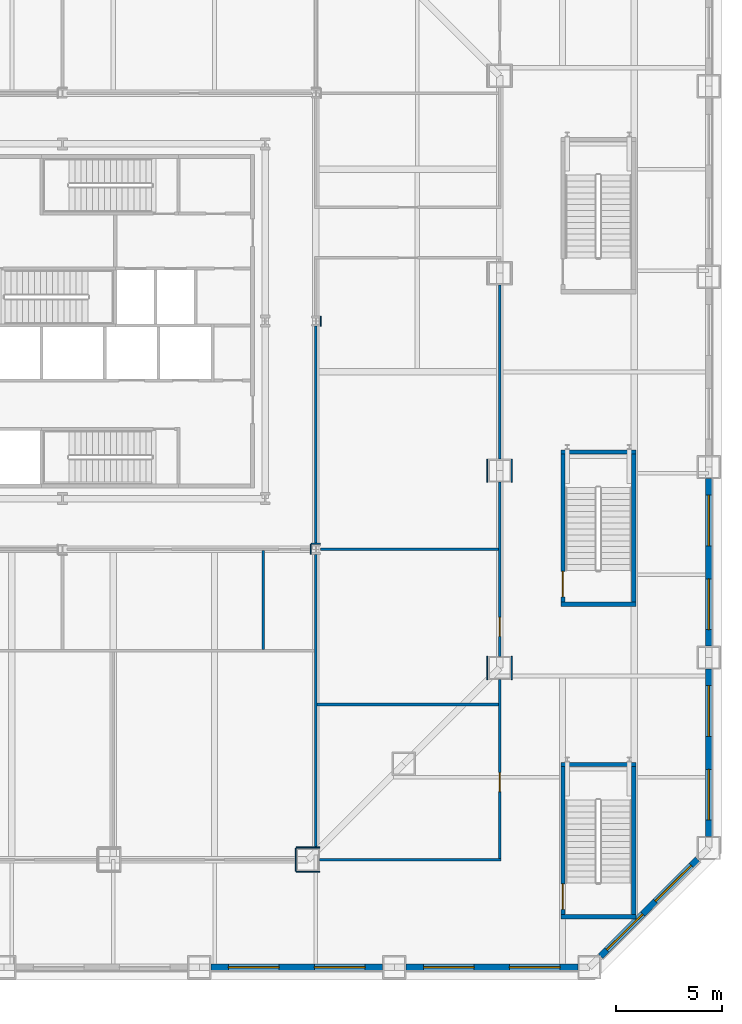
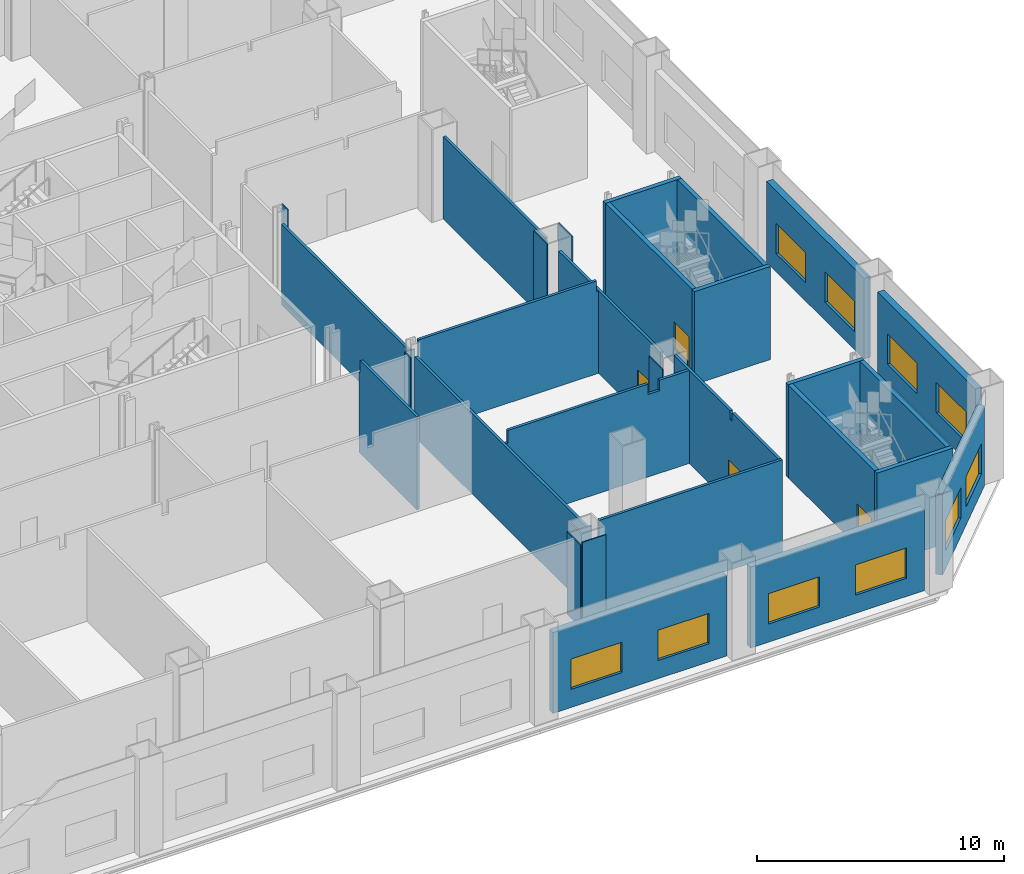
# One storey, part 17 of 26: 32 walls, 10 windows, 4 doors, 14 openings.
"""IFC4 building model written with IfcOpenShell, lengths in metres."""

from ifc_helpers import new_model, si_unit, direction, frame, frame_2d, origin, place, context, subcontext, project, spatial, polyline, rectangle, outline, extrude, material, layer, layer_set, type_object, element, fill, save


model = new_model("IFC4")

# Units and contexts
model_context = context("Model", 3, precision=1e-05, world=origin(), true_north=direction((0.0, 1.0)))
body_context = subcontext(model_context, "Body", "Model", "MODEL_VIEW")
ifc_project = project(units=[si_unit("LENGTHUNIT", "METRE"), si_unit("AREAUNIT", "SQUARE_METRE"), si_unit("VOLUMEUNIT", "CUBIC_METRE"), si_unit("PLANEANGLEUNIT", "RADIAN"), si_unit("MASSUNIT", "GRAM", prefix="KILO")], contexts=[model_context])

# Site, building, storey
site_placement = place(None, origin())
site = spatial("IfcSite", under=ifc_project, at=site_placement, CompositionType="ELEMENT")
building_placement = place(site_placement, origin())
building = spatial("IfcBuilding", under=site, at=building_placement, Name="Cairn Pilgrim Tower", CompositionType="ELEMENT")
storey_placement = place(building_placement, frame((0.0, 0.0, 25.800048828125)))
storey = spatial("IfcBuildingStorey", under=building, at=storey_placement, Name="L04", CompositionType="ELEMENT", Elevation=25.800048828125)

# Wall
ifc_material_1 = material(Name="Gypsum partition")
ifc_layer_1 = layer(ifc_material_1, 0.125)
ifc_layer_set_1 = layer_set([ifc_layer_1], Name="PARTITION 125 DRYWALL EI 60")
wall_type_1 = type_object("IfcWallType", Name="PARTITION 125 DRYWALL EI 60", PredefinedType="PARTITIONING", material=ifc_layer_set_1)
wall_1_placement = place(storey_placement, frame((19.377197265625, -23.10009765625, 0.0), z_axis=(0.0, 0.0, 1.0), x_axis=(1.0, 0.0, 0.0)))
element("IfcWall", 1, at=wall_1_placement, inside=storey, type_object=wall_type_1, Name="PARTITION W013", PredefinedType="PARTITIONING", context=body_context, shape_type="SweptSolid", body=[
    extrude(rectangle(XDim=8.585205078125, YDim=0.125, at=frame_2d((4.29248046875, 0.0))), origin(), (0.0, 0.0, 1.0), 4.599853515625),
])

# Wall, opening, door
wall_2_placement = place(storey_placement, frame((27.89990234375, -23.03759765625, 0.0), z_axis=(0.0, 0.0, 1.0), x_axis=(0.0, 1.0, 0.0)))
wall_2 = element("IfcWall", 2, at=wall_2_placement, inside=storey, type_object=wall_type_1, Name="PARTITION W019", PredefinedType="PARTITIONING", context=body_context, shape_type="SweptSolid", body=[
    extrude(outline(polyline([(0.0, 0.0), (8.46044921875, 0.0), (8.460205078125, 4.599853515625), (3.927490234375, 4.599853515625), (3.925537109375, 4.179931640625), (3.74755859375, 4.179931640625), (3.74560546875, 4.599853515625), (0.0, 4.599853515625), (0.0, 0.0)])), frame((0.0, 0.0625, 0.0), z_axis=(0.0, -1.0, 0.0), x_axis=(1.0, 0.0, 0.0)), (0.0, 0.0, 1.0), 0.125),
])
opening_1_placement = place(wall_2_placement, frame((3.16259765625, 0.0, 0.0)))
opening_1 = element("IfcOpeningElement", 3, at=opening_1_placement, cuts=wall_2, Name="Opening 0418", PredefinedType="OPENING", context=body_context, shape_type="SweptSolid", body=[
    extrude(rectangle(XDim=0.89990234375, YDim=2.10009765625, at=frame_2d((0.449951171875, 1.050048828125))), frame((0.0, 0.072509765625, 0.0), z_axis=(0.0, -1.0, 0.0), x_axis=(1.0, 0.0, 0.0)), (0.0, 0.0, 1.0), 0.14501953125),
])
ifc_material_2 = material(Name="Timber door leaf", Category="wood")
door_type_1 = type_object("IfcDoorType", Name="ROOM DOOR 900x2100 FD30S", OperationType="NOTDEFINED", PredefinedType="DOOR", material=ifc_material_2)
door_1_placement = place(opening_1_placement, frame((0.89990234375, 0.0, 0.0), z_axis=(0.0, 0.0, 1.0), x_axis=(-1.0, 0.0, 0.0)))
door_1 = element("IfcDoor", 4, at=door_1_placement, inside=storey, type_object=door_type_1, Name="DOOR 0418", OperationType="SINGLE_SWING_RIGHT", OverallHeight=2.10009765625, OverallWidth=0.89990234375, PredefinedType="DOOR", context=body_context, shape_type="SweptSolid", body=[
    extrude(rectangle(XDim=0.89990234375, YDim=2.10009765625, at=frame_2d((0.449951171875, 1.050048828125))), frame((0.0, 0.02490234375, 0.0), z_axis=(0.0, -1.0, 0.0), x_axis=(1.0, 0.0, 0.0)), (0.0, 0.0, 1.0), 0.050048828125),
])
fill(opening_1, door_1)

# Walls
wall_3_placement = place(storey_placement, frame((19.199951171875, -22.550048828125, 0.0), z_axis=(0.0, 0.0, 1.0), x_axis=(0.0, 1.0, 0.0)))
element("IfcWall", 5, at=wall_3_placement, inside=storey, type_object=wall_type_1, Name="PARTITION W021", PredefinedType="PARTITIONING", context=body_context, shape_type="SweptSolid", body=[
    extrude(rectangle(XDim=13.9130859375, YDim=0.125, at=frame_2d((6.95654296875, 0.0))), origin(), (0.0, 0.0, 1.0), 3.97998046875),
])
wall_4_placement = place(storey_placement, frame((19.262451171875, -15.75, 0.0), z_axis=(0.0, 0.0, 1.0), x_axis=(1.0, 0.0, 0.0)))
element("IfcWall", 6, at=wall_4_placement, inside=storey, type_object=wall_type_1, Name="PARTITION W023", PredefinedType="PARTITIONING", context=body_context, shape_type="SweptSolid", body=[
    extrude(outline(polyline([(0.0, 0.0), (8.574951171875, 0.0), (8.574951171875, 4.599853515625), (7.189208984375, 4.599853515625), (7.187255859375, 4.079833984375), (6.64013671875, 4.079833984375), (6.63818359375, 4.599853515625), (0.08740234375, 4.599853515625), (0.08544921875, 3.97998046875), (0.0, 3.97998046875), (0.0, 0.0)])), frame((0.0, 0.0625, 0.0), z_axis=(0.0, -1.0, 0.0), x_axis=(1.0, 0.0, 0.0)), (0.0, 0.0, 1.0), 0.125),
])

# Wall, opening, door
wall_5_placement = place(storey_placement, frame((27.89990234375, -13.477294921875, 0.0), z_axis=(0.0, 0.0, 1.0), x_axis=(0.0, 1.0, 0.0)))
wall_5 = element("IfcWall", 7, at=wall_5_placement, inside=storey, type_object=wall_type_1, Name="PARTITION W024", PredefinedType="PARTITIONING", context=body_context, shape_type="SweptSolid", body=[
    extrude(rectangle(XDim=8.251708984375, YDim=0.125, at=frame_2d((4.1259765625, 0.0))), origin(), (0.0, 0.0, 1.0), 4.079833984375),
])
opening_2_placement = place(wall_5_placement, frame((0.9521484375, 0.0, 0.0)))
opening_2 = element("IfcOpeningElement", 8, at=opening_2_placement, cuts=wall_5, Name="Opening 0419", PredefinedType="OPENING", context=body_context, shape_type="SweptSolid", body=[
    extrude(rectangle(XDim=0.89990234375, YDim=2.10009765625, at=frame_2d((0.449951171875, 1.050048828125))), frame((0.0, 0.072509765625, 0.0), z_axis=(0.0, -1.0, 0.0), x_axis=(1.0, 0.0, 0.0)), (0.0, 0.0, 1.0), 0.14501953125),
])
door_type_2 = type_object("IfcDoorType", Name="SERVICE DOOR 900x2100 FD30S", OperationType="NOTDEFINED", PredefinedType="DOOR", material=ifc_material_2)
door_2_placement = place(opening_2_placement, frame((0.89990234375, 0.0, 0.0), z_axis=(0.0, 0.0, 1.0), x_axis=(-1.0, 0.0, 0.0)))
door_2 = element("IfcDoor", 9, at=door_2_placement, inside=storey, type_object=door_type_2, Name="DOOR 0419", OperationType="SINGLE_SWING_RIGHT", OverallHeight=2.10009765625, OverallWidth=0.89990234375, PredefinedType="DOOR", context=body_context, shape_type="SweptSolid", body=[
    extrude(rectangle(XDim=0.89990234375, YDim=2.10009765625, at=frame_2d((0.449951171875, 1.050048828125))), frame((0.0, 0.02490234375, 0.0), z_axis=(0.0, -1.0, 0.0), x_axis=(1.0, 0.0, 0.0)), (0.0, 0.0, 1.0), 0.050048828125),
])
fill(opening_2, door_2)

# Walls
wall_6_placement = place(storey_placement, frame((16.699951171875, -13.137451171875, 0.0), z_axis=(0.0, 0.0, 1.0), x_axis=(0.0, 1.0, 0.0)))
element("IfcWall", 10, at=wall_6_placement, inside=storey, type_object=wall_type_1, Name="PARTITION W027", PredefinedType="PARTITIONING", context=body_context, shape_type="SweptSolid", body=[
    extrude(outline(polyline([(0.0, 0.0), (4.675048828125, 0.0), (4.675048828125, 3.97998046875), (4.58740234375, 3.97998046875), (4.58544921875, 4.599853515625), (0.0, 4.599853515625), (0.0, 0.0)])), frame((0.0, 0.0625, 0.0), z_axis=(0.0, -1.0, 0.0), x_axis=(1.0, 0.0, 0.0)), (0.0, 0.0, 1.0), 0.125),
])
wall_7_placement = place(storey_placement, frame((19.412109375, -8.39990234375, 0.0), z_axis=(0.0, 0.0, 1.0), x_axis=(1.0, 0.0, 0.0)))
element("IfcWall", 11, at=wall_7_placement, inside=storey, type_object=wall_type_1, Name="PARTITION W033", PredefinedType="PARTITIONING", context=body_context, shape_type="SweptSolid", body=[
    extrude(outline(polyline([(0.0, 0.0), (8.42529296875, 0.0), (8.425537109375, 4.079833984375), (8.337890625, 4.079833984375), (8.3359375, 4.599853515625), (0.0, 4.599853515625), (0.0, 0.0)])), frame((0.0, 0.0625, 0.0), z_axis=(0.0, -1.0, 0.0), x_axis=(1.0, 0.0, 0.0)), (0.0, 0.0, 1.0), 0.125),
])
wall_8_placement = place(storey_placement, frame((19.199951171875, -8.1630859375, 0.0), z_axis=(0.0, 0.0, 1.0), x_axis=(0.0, 1.0, 0.0)))
element("IfcWall", 12, at=wall_8_placement, inside=storey, type_object=wall_type_1, Name="PARTITION W035", PredefinedType="PARTITIONING", context=body_context, shape_type="SweptSolid", body=[
    extrude(rectangle(XDim=10.326171875, YDim=0.125, at=frame_2d((5.1630859375, 0.0))), origin(), (0.0, 0.0, 1.0), 3.97998046875),
])
wall_9_placement = place(storey_placement, frame((27.89990234375, -4.125732421875, 0.0), z_axis=(0.0, 0.0, 1.0), x_axis=(0.0, 1.0, 0.0)))
element("IfcWall", 13, at=wall_9_placement, inside=storey, type_object=wall_type_1, Name="PARTITION W036", PredefinedType="PARTITIONING", context=body_context, shape_type="SweptSolid", body=[
    extrude(rectangle(XDim=8.25146484375, YDim=0.125, at=frame_2d((4.125732421875, 0.0))), origin(), (0.0, 0.0, 1.0), 4.079833984375),
])
ifc_layer_2 = layer(ifc_material_1, 0.050048828125)
ifc_layer_set_2 = layer_set([ifc_layer_2], Name="PARTITION 50 DRYWALL EI 60")
wall_type_2 = type_object("IfcWallType", Name="PARTITION 50 DRYWALL EI 60", PredefinedType="PARTITIONING", material=ifc_layer_set_2)
wall_10_placement = place(storey_placement, frame((18.277099609375, -22.52490234375, 0.0), z_axis=(0.0, 0.0, 1.0), x_axis=(1.0, 0.0, 0.0)))
element("IfcWall", 14, at=wall_10_placement, inside=storey, type_object=wall_type_2, Name="COLUMN CASING WC09", PredefinedType="PARTITIONING", context=body_context, shape_type="SweptSolid", body=[
    extrude(rectangle(XDim=1.10009765625, YDim=0.050048828125, at=frame_2d((0.550048828125, 0.0))), origin(), (0.0, 0.0, 1.0), 3.97998046875),
])
wall_11_placement = place(storey_placement, frame((18.277099609375, -23.675048828125, 0.0), z_axis=(0.0, 0.0, 1.0), x_axis=(1.0, 0.0, 0.0)))
element("IfcWall", 15, at=wall_11_placement, inside=storey, type_object=wall_type_2, Name="COLUMN CASING WC10", PredefinedType="PARTITIONING", context=body_context, shape_type="SweptSolid", body=[
    extrude(rectangle(XDim=1.10009765625, YDim=0.050048828125, at=frame_2d((0.550048828125, 0.0))), origin(), (0.0, 0.0, 1.0), 4.219970703125),
])
wall_12_placement = place(storey_placement, frame((18.252197265625, -23.64990234375, 0.0), z_axis=(0.0, 0.0, 1.0), x_axis=(0.0, 1.0, 0.0)))
element("IfcWall", 16, at=wall_12_placement, inside=storey, type_object=wall_type_2, Name="COLUMN CASING WC13", PredefinedType="PARTITIONING", context=body_context, shape_type="SweptSolid", body=[
    extrude(rectangle(XDim=1.099853515625, YDim=0.050048828125, at=frame_2d((0.5498046875, 0.0))), origin(), (0.0, 0.0, 1.0), 4.079833984375),
])
wall_13_placement = place(storey_placement, frame((18.962890625, -8.636962890625, 0.0), z_axis=(0.0, 0.0, 1.0), x_axis=(0.0, 1.0, 0.0)))
element("IfcWall", 17, at=wall_13_placement, inside=storey, type_object=wall_type_2, Name="COLUMN CASING WC14", PredefinedType="PARTITIONING", context=body_context, shape_type="SweptSolid", body=[
    extrude(rectangle(XDim=0.473876953125, YDim=0.050048828125, at=frame_2d((0.23681640625, 0.0))), origin(), (0.0, 0.0, 1.0), 3.97998046875),
])
for number, where, z_axis, x_axis, name in (
    (18, (27.324951171875, -14.5771484375, 0.0), (0.0, 0.0, 1.0), (0.0, 1.0, 0.0), "COLUMN CASING WC15"),
    (19, (28.47509765625, -14.5771484375, 0.0), (0.0, 0.0, 1.0), (0.0, 1.0, 0.0), "COLUMN CASING WC16"),
):
    element("IfcWall", number, at=place(storey_placement, frame(where, z_axis=z_axis, x_axis=x_axis)), inside=storey, type_object=wall_type_2, Name=name, PredefinedType="PARTITIONING", context=body_context, shape_type="SweptSolid", body=[
        extrude(rectangle(XDim=1.099853515625, YDim=0.050048828125, at=frame_2d((0.5498046875, 0.0))), origin(), (0.0, 0.0, 1.0), 4.079833984375),
    ])
for number, where, z_axis, x_axis, name in (
    (20, (27.324951171875, -5.2255859375, 0.0), (0.0, 0.0, 1.0), (0.0, 1.0, 0.0), "COLUMN CASING WC17"),
    (21, (28.47509765625, -5.2255859375, 0.0), (0.0, 0.0, 1.0), (0.0, 1.0, 0.0), "COLUMN CASING WC18"),
):
    element("IfcWall", number, at=place(storey_placement, frame(where, z_axis=z_axis, x_axis=x_axis)), inside=storey, type_object=wall_type_2, Name=name, PredefinedType="PARTITIONING", context=body_context, shape_type="SweptSolid", body=[
        extrude(rectangle(XDim=1.099853515625, YDim=0.050048828125, at=frame_2d((0.5498046875, 0.0))), origin(), (0.0, 0.0, 1.0), 4.599853515625),
    ])
wall_14_placement = place(storey_placement, frame((18.988037109375, -8.137939453125, 0.0), z_axis=(0.0, 0.0, 1.0), x_axis=(1.0, 0.0, 0.0)))
element("IfcWall", 22, at=wall_14_placement, inside=storey, type_object=wall_type_2, Name="COLUMN CASING WC25", PredefinedType="PARTITIONING", context=body_context, shape_type="SweptSolid", body=[
    extrude(rectangle(XDim=0.424072265625, YDim=0.050048828125, at=frame_2d((0.2119140625, 0.0))), origin(), (0.0, 0.0, 1.0), 3.97998046875),
])
wall_15_placement = place(storey_placement, frame((19.43701171875, 2.1630859375, 0.0), z_axis=(0.0, 0.0, 1.0), x_axis=(0.0, 1.0, 0.0)))
element("IfcWall", 23, at=wall_15_placement, inside=storey, type_object=wall_type_2, Name="COLUMN CASING WC26", PredefinedType="PARTITIONING", context=body_context, shape_type="SweptSolid", body=[
    extrude(rectangle(XDim=0.473876953125, YDim=0.050048828125, at=frame_2d((0.23681640625, 0.0))), origin(), (0.0, 0.0, 1.0), 4.599853515625),
])
ifc_material_3 = material(Name="Concrete C35/45", Category="concrete")
ifc_layer_3 = layer(ifc_material_3, 0.199951171875)
ifc_layer_set_3 = layer_set([ifc_layer_3], Name="PODIUM STAIR WALL 200 EI 120")
wall_type_3 = type_object("IfcWallType", Name="PODIUM STAIR WALL 200 EI 120", PredefinedType="SOLIDWALL", material=ifc_layer_set_3)
wall_16_placement = place(storey_placement, frame((30.800048828125, -25.800048828125, 0.0), z_axis=(0.0, 0.0, 1.0), x_axis=(1.0, 0.0, 0.0)))
element("IfcWall", 24, at=wall_16_placement, inside=storey, type_object=wall_type_3, Name="STAIR SHAFT WALL W003", PredefinedType="SOLIDWALL", context=body_context, shape_type="SweptSolid", body=[
    extrude(rectangle(XDim=3.550048828125, YDim=0.199951171875, at=frame_2d((1.77490234375, 0.0))), origin(), (0.0, 0.0, 1.0), 4.599853515625),
])

# Wall, opening, door
wall_17_placement = place(storey_placement, frame((30.89990234375, -25.699951171875, 0.0), z_axis=(0.0, 0.0, 1.0), x_axis=(0.0, 1.0, 0.0)))
wall_17 = element("IfcWall", 25, at=wall_17_placement, inside=storey, type_object=wall_type_3, Name="STAIR SHAFT WALL W004", PredefinedType="SOLIDWALL", context=body_context, shape_type="SweptSolid", body=[
    extrude(rectangle(XDim=7.0, YDim=0.199951171875, at=frame_2d((3.5, 0.0))), origin(), (0.0, 0.0, 1.0), 4.599853515625),
])
opening_3_placement = place(wall_17_placement, frame((0.25, 0.0, 0.0)))
opening_3 = element("IfcOpeningElement", 26, at=opening_3_placement, cuts=wall_17, Name="Opening 0424", PredefinedType="OPENING", context=body_context, shape_type="SweptSolid", body=[
    extrude(rectangle(XDim=1.199951171875, YDim=2.10009765625, at=frame_2d((0.60009765625, 1.050048828125))), frame((0.0, 0.10986328125, 0.0), z_axis=(0.0, -1.0, 0.0), x_axis=(1.0, 0.0, 0.0)), (0.0, 0.0, 1.0), 0.219970703125),
])
ifc_material_4 = material(Name="Steel-faced fire door leaf", Category="steel")
door_type_3 = type_object("IfcDoorType", Name="FIRE DOOR 1200x2100 FD60S", OperationType="NOTDEFINED", PredefinedType="DOOR", material=ifc_material_4)
door_3_placement = place(opening_3_placement, frame((1.199951171875, 0.0, 0.0), z_axis=(0.0, 0.0, 1.0), x_axis=(-1.0, 0.0, 0.0)))
door_3 = element("IfcDoor", 27, at=door_3_placement, inside=storey, type_object=door_type_3, Name="DOOR 0424", OperationType="SINGLE_SWING_LEFT", OverallHeight=2.10009765625, OverallWidth=1.199951171875, PredefinedType="DOOR", context=body_context, shape_type="SweptSolid", body=[
    extrude(rectangle(XDim=1.199951171875, YDim=2.10009765625, at=frame_2d((0.60009765625, 1.050048828125))), frame((0.0, 0.02490234375, 0.0), z_axis=(0.0, -1.0, 0.0), x_axis=(1.0, 0.0, 0.0)), (0.0, 0.0, 1.0), 0.050048828125),
])
fill(opening_3, door_3)

# Walls
wall_18_placement = place(storey_placement, frame((34.25, -25.699951171875, 0.0), z_axis=(0.0, 0.0, 1.0), x_axis=(0.0, 1.0, 0.0)))
element("IfcWall", 28, at=wall_18_placement, inside=storey, type_object=wall_type_3, Name="STAIR SHAFT WALL W005", PredefinedType="SOLIDWALL", context=body_context, shape_type="SweptSolid", body=[
    extrude(rectangle(XDim=7.0, YDim=0.199951171875, at=frame_2d((3.5, 0.0))), origin(), (0.0, 0.0, 1.0), 4.599853515625),
])
for number, where, z_axis, x_axis, name in (
    (29, (30.800048828125, -18.60009765625, 0.0), (0.0, 0.0, 1.0), (1.0, 0.0, 0.0), "STAIR SHAFT WALL W022"),
    (30, (30.800048828125, -11.0, 0.0), (0.0, 0.0, 1.0), (1.0, 0.0, 0.0), "STAIR SHAFT WALL W028"),
):
    element("IfcWall", number, at=place(storey_placement, frame(where, z_axis=z_axis, x_axis=x_axis)), inside=storey, type_object=wall_type_3, Name=name, PredefinedType="SOLIDWALL", context=body_context, shape_type="SweptSolid", body=[
        extrude(rectangle(XDim=3.550048828125, YDim=0.199951171875, at=frame_2d((1.77490234375, 0.0))), origin(), (0.0, 0.0, 1.0), 4.599853515625),
    ])

# Wall, opening, door
wall_19_placement = place(storey_placement, frame((30.89990234375, -10.89990234375, 0.0), z_axis=(0.0, 0.0, 1.0), x_axis=(0.0, 1.0, 0.0)))
wall_19 = element("IfcWall", 31, at=wall_19_placement, inside=storey, type_object=wall_type_3, Name="STAIR SHAFT WALL W029", PredefinedType="SOLIDWALL", context=body_context, shape_type="SweptSolid", body=[
    extrude(rectangle(XDim=7.0, YDim=0.199951171875, at=frame_2d((3.5, 0.0))), origin(), (0.0, 0.0, 1.0), 4.599853515625),
])
opening_4_placement = place(wall_19_placement, frame((0.25, 0.0, 0.0)))
opening_4 = element("IfcOpeningElement", 32, at=opening_4_placement, cuts=wall_19, Name="Opening 0425", PredefinedType="OPENING", context=body_context, shape_type="SweptSolid", body=[
    extrude(rectangle(XDim=1.199951171875, YDim=2.10009765625, at=frame_2d((0.60009765625, 1.050048828125))), frame((0.0, 0.10986328125, 0.0), z_axis=(0.0, -1.0, 0.0), x_axis=(1.0, 0.0, 0.0)), (0.0, 0.0, 1.0), 0.219970703125),
])
door_4_placement = place(opening_4_placement, frame((1.199951171875, 0.0, 0.0), z_axis=(0.0, 0.0, 1.0), x_axis=(-1.0, 0.0, 0.0)))
door_4 = element("IfcDoor", 33, at=door_4_placement, inside=storey, type_object=door_type_3, Name="DOOR 0425", OperationType="SINGLE_SWING_RIGHT", OverallHeight=2.10009765625, OverallWidth=1.199951171875, PredefinedType="DOOR", context=body_context, shape_type="SweptSolid", body=[
    extrude(rectangle(XDim=1.199951171875, YDim=2.10009765625, at=frame_2d((0.60009765625, 1.050048828125))), frame((0.0, 0.02490234375, 0.0), z_axis=(0.0, -1.0, 0.0), x_axis=(1.0, 0.0, 0.0)), (0.0, 0.0, 1.0), 0.050048828125),
])
fill(opening_4, door_4)

# Walls
wall_20_placement = place(storey_placement, frame((34.25, -10.89990234375, 0.0), z_axis=(0.0, 0.0, 1.0), x_axis=(0.0, 1.0, 0.0)))
element("IfcWall", 34, at=wall_20_placement, inside=storey, type_object=wall_type_3, Name="STAIR SHAFT WALL W030", PredefinedType="SOLIDWALL", context=body_context, shape_type="SweptSolid", body=[
    extrude(rectangle(XDim=7.0, YDim=0.199951171875, at=frame_2d((3.5, 0.0))), origin(), (0.0, 0.0, 1.0), 4.599853515625),
])
wall_21_placement = place(storey_placement, frame((30.800048828125, -3.800048828125, 0.0), z_axis=(0.0, 0.0, 1.0), x_axis=(1.0, 0.0, 0.0)))
element("IfcWall", 35, at=wall_21_placement, inside=storey, type_object=wall_type_3, Name="STAIR SHAFT WALL W037", PredefinedType="SOLIDWALL", context=body_context, shape_type="SweptSolid", body=[
    extrude(rectangle(XDim=3.550048828125, YDim=0.199951171875, at=frame_2d((1.77490234375, 0.0))), origin(), (0.0, 0.0, 1.0), 4.599853515625),
])

# Wall, openings, windows
ifc_material_5 = material(Name="Concrete C35/45 backup wall with bronze aluminium cladding", Category="concrete")
ifc_layer_4 = layer(ifc_material_5, 0.300048828125)
ifc_layer_set_4 = layer_set([ifc_layer_4], Name="PODIUM WALL 300 BRONZE-CLAD")
wall_type_4 = type_object("IfcWallType", Name="PODIUM WALL 300 BRONZE-CLAD", PredefinedType="SOLIDWALL", material=ifc_layer_set_4)
wall_22_placement = place(storey_placement, frame((14.2255859375, -28.199951171875, 0.0), z_axis=(0.0, 0.0, 1.0), x_axis=(1.0, 0.0, 0.0)))
wall_22 = element("IfcWall", 36, at=wall_22_placement, inside=storey, type_object=wall_type_4, Name="PODIUM EXTERNAL WALL S7-S8", PredefinedType="SOLIDWALL", context=body_context, shape_type="SweptSolid", body=[
    extrude(rectangle(XDim=8.137939453125, YDim=0.300048828125, at=frame_2d((4.06884765625, 0.0))), origin(), (0.0, 0.0, 1.0), 4.0),
])
opening_5_placement = place(wall_22_placement, frame((0.83447265625, 0.0, 0.89990234375)))
opening_5 = element("IfcOpeningElement", 37, at=opening_5_placement, cuts=wall_22, Name="Opening PW15", PredefinedType="OPENING", context=body_context, shape_type="SweptSolid", body=[
    extrude(rectangle(XDim=2.39990234375, YDim=1.5, at=frame_2d((1.199951171875, 0.75))), frame((0.0, 0.16015625, 0.0), z_axis=(0.0, -1.0, 0.0), x_axis=(1.0, 0.0, 0.0)), (0.0, 0.0, 1.0), 0.320068359375),
])
opening_6_placement = place(wall_22_placement, frame((4.9033203125, 0.0, 0.89990234375)))
opening_6 = element("IfcOpeningElement", 38, at=opening_6_placement, cuts=wall_22, Name="Opening PW15", PredefinedType="OPENING", context=body_context, shape_type="SweptSolid", body=[
    extrude(rectangle(XDim=2.39990234375, YDim=1.5, at=frame_2d((1.199951171875, 0.75))), frame((0.0, 0.16015625, 0.0), z_axis=(0.0, -1.0, 0.0), x_axis=(1.0, 0.0, 0.0)), (0.0, 0.0, 1.0), 0.320068359375),
])
ifc_material_6 = material(Name="Bronze anodised aluminium frame with tinted low-E glass", Category="aluminium")
window_type = type_object("IfcWindowType", Name="PODIUM FIXED WINDOW 2400x1500", PartitioningType="SINGLE_PANEL", PredefinedType="WINDOW", material=ifc_material_6)
window_1_placement = place(opening_5_placement, origin())
window_1 = element("IfcWindow", 39, at=window_1_placement, inside=storey, type_object=window_type, Name="PODIUM WINDOW", OverallHeight=1.5, OverallWidth=2.39990234375, PartitioningType="SINGLE_PANEL", PredefinedType="WINDOW", context=body_context, shape_type="SweptSolid", body=[
    extrude(rectangle(XDim=2.39990234375, YDim=1.5, at=frame_2d((1.199951171875, 0.75))), frame((0.0, 0.030029296875, 0.0), z_axis=(0.0, -1.0, 0.0), x_axis=(1.0, 0.0, 0.0)), (0.0, 0.0, 1.0), 0.06005859375),
])
fill(opening_5, window_1)
window_2_placement = place(opening_6_placement, origin())
window_2 = element("IfcWindow", 40, at=window_2_placement, inside=storey, type_object=window_type, Name="PODIUM WINDOW", OverallHeight=1.5, OverallWidth=2.39990234375, PartitioningType="SINGLE_PANEL", PredefinedType="WINDOW", context=body_context, shape_type="SweptSolid", body=[
    extrude(rectangle(XDim=2.39990234375, YDim=1.5, at=frame_2d((1.199951171875, 0.75))), frame((0.0, 0.030029296875, 0.0), z_axis=(0.0, -1.0, 0.0), x_axis=(1.0, 0.0, 0.0)), (0.0, 0.0, 1.0), 0.06005859375),
])
fill(opening_6, window_2)

wall_23_placement = place(storey_placement, frame((23.463623046875, -28.199951171875, 0.0), z_axis=(0.0, 0.0, 1.0), x_axis=(1.0, 0.0, 0.0)))
wall_23 = element("IfcWall", 41, at=wall_23_placement, inside=storey, type_object=wall_type_4, Name="PODIUM EXTERNAL WALL S8-SE1", PredefinedType="SOLIDWALL", context=body_context, shape_type="SweptSolid", body=[
    extrude(rectangle(XDim=8.137939453125, YDim=0.300048828125, at=frame_2d((4.06884765625, 0.0))), origin(), (0.0, 0.0, 1.0), 4.0),
])
opening_7_placement = place(wall_23_placement, frame((0.83447265625, 0.0, 0.89990234375)))
opening_7 = element("IfcOpeningElement", 42, at=opening_7_placement, cuts=wall_23, Name="Opening PW15", PredefinedType="OPENING", context=body_context, shape_type="SweptSolid", body=[
    extrude(rectangle(XDim=2.39990234375, YDim=1.5, at=frame_2d((1.199951171875, 0.75))), frame((0.0, 0.16015625, 0.0), z_axis=(0.0, -1.0, 0.0), x_axis=(1.0, 0.0, 0.0)), (0.0, 0.0, 1.0), 0.320068359375),
])
opening_8_placement = place(wall_23_placement, frame((4.9033203125, 0.0, 0.89990234375)))
opening_8 = element("IfcOpeningElement", 43, at=opening_8_placement, cuts=wall_23, Name="Opening PW15", PredefinedType="OPENING", context=body_context, shape_type="SweptSolid", body=[
    extrude(rectangle(XDim=2.39990234375, YDim=1.5, at=frame_2d((1.199951171875, 0.75))), frame((0.0, 0.16015625, 0.0), z_axis=(0.0, -1.0, 0.0), x_axis=(1.0, 0.0, 0.0)), (0.0, 0.0, 1.0), 0.320068359375),
])
window_3_placement = place(opening_7_placement, origin())
window_3 = element("IfcWindow", 44, at=window_3_placement, inside=storey, type_object=window_type, Name="PODIUM WINDOW", OverallHeight=1.5, OverallWidth=2.39990234375, PartitioningType="SINGLE_PANEL", PredefinedType="WINDOW", context=body_context, shape_type="SweptSolid", body=[
    extrude(rectangle(XDim=2.39990234375, YDim=1.5, at=frame_2d((1.199951171875, 0.75))), frame((0.0, 0.030029296875, 0.0), z_axis=(0.0, -1.0, 0.0), x_axis=(1.0, 0.0, 0.0)), (0.0, 0.0, 1.0), 0.06005859375),
])
fill(opening_7, window_3)
window_4_placement = place(opening_8_placement, origin())
window_4 = element("IfcWindow", 45, at=window_4_placement, inside=storey, type_object=window_type, Name="PODIUM WINDOW", OverallHeight=1.5, OverallWidth=2.39990234375, PartitioningType="SINGLE_PANEL", PredefinedType="WINDOW", context=body_context, shape_type="SweptSolid", body=[
    extrude(rectangle(XDim=2.39990234375, YDim=1.5, at=frame_2d((1.199951171875, 0.75))), frame((0.0, 0.030029296875, 0.0), z_axis=(0.0, -1.0, 0.0), x_axis=(1.0, 0.0, 0.0)), (0.0, 0.0, 1.0), 0.06005859375),
])
fill(opening_8, window_4)

wall_24_placement = place(storey_placement, frame((32.6748046875, -27.6767578125, 0.0), z_axis=(0.0, 0.0, 1.0), x_axis=(0.707088024292, 0.707125537583, 0.0)))
wall_24 = element("IfcWall", 46, at=wall_24_placement, inside=storey, type_object=wall_type_4, Name="PODIUM EXTERNAL WALL SE1-E1", PredefinedType="SOLIDWALL", context=body_context, shape_type="SweptSolid", body=[
    extrude(rectangle(XDim=6.508056640625, YDim=0.300048828125, at=frame_2d((3.25390625, 0.0))), origin(), (0.0, 0.0, 1.0), 4.0),
])
opening_9_placement = place(wall_24_placement, frame((0.427001953125, 0.0, 0.89990234375)))
opening_9 = element("IfcOpeningElement", 47, at=opening_9_placement, cuts=wall_24, Name="Opening PW15", PredefinedType="OPENING", context=body_context, shape_type="SweptSolid", body=[
    extrude(rectangle(XDim=2.39990234375, YDim=1.5, at=frame_2d((1.199951171875, 0.75))), frame((0.0, 0.16015625, 0.0), z_axis=(0.0, -1.0, 0.0), x_axis=(1.0, 0.0, 0.0)), (0.0, 0.0, 1.0), 0.320068359375),
])
opening_10_placement = place(wall_24_placement, frame((3.68115234375, 0.0, 0.89990234375)))
opening_10 = element("IfcOpeningElement", 48, at=opening_10_placement, cuts=wall_24, Name="Opening PW15", PredefinedType="OPENING", context=body_context, shape_type="SweptSolid", body=[
    extrude(rectangle(XDim=2.39990234375, YDim=1.5, at=frame_2d((1.199951171875, 0.75))), frame((0.0, 0.16015625, 0.0), z_axis=(0.0, -1.0, 0.0), x_axis=(1.0, 0.0, 0.0)), (0.0, 0.0, 1.0), 0.320068359375),
])
window_5_placement = place(opening_9_placement, origin())
window_5 = element("IfcWindow", 49, at=window_5_placement, inside=storey, type_object=window_type, Name="PODIUM WINDOW", OverallHeight=1.5, OverallWidth=2.39990234375, PartitioningType="SINGLE_PANEL", PredefinedType="WINDOW", context=body_context, shape_type="SweptSolid", body=[
    extrude(rectangle(XDim=2.39990234375, YDim=1.5, at=frame_2d((1.199951171875, 0.75))), frame((0.0, 0.030029296875, 0.0), z_axis=(0.0, -1.0, 0.0), x_axis=(1.0, 0.0, 0.0)), (0.0, 0.0, 1.0), 0.06005859375),
])
fill(opening_9, window_5)
window_6_placement = place(opening_10_placement, origin())
window_6 = element("IfcWindow", 50, at=window_6_placement, inside=storey, type_object=window_type, Name="PODIUM WINDOW", OverallHeight=1.5, OverallWidth=2.39990234375, PartitioningType="SINGLE_PANEL", PredefinedType="WINDOW", context=body_context, shape_type="SweptSolid", body=[
    extrude(rectangle(XDim=2.39990234375, YDim=1.5, at=frame_2d((1.199951171875, 0.75))), frame((0.0, 0.030029296875, 0.0), z_axis=(0.0, -1.0, 0.0), x_axis=(1.0, 0.0, 0.0)), (0.0, 0.0, 1.0), 0.06005859375),
])
fill(opening_10, window_6)

wall_25_placement = place(storey_placement, frame((37.800048828125, -22.00146484375, 0.0), z_axis=(0.0, 0.0, 1.0), x_axis=(0.0, 1.0, 0.0)))
wall_25 = element("IfcWall", 51, at=wall_25_placement, inside=storey, type_object=wall_type_4, Name="PODIUM EXTERNAL WALL E1-E2", PredefinedType="SOLIDWALL", context=body_context, shape_type="SweptSolid", body=[
    extrude(rectangle(XDim=7.920654296875, YDim=0.300048828125, at=frame_2d((3.96044921875, 0.0))), origin(), (0.0, 0.0, 1.0), 4.0),
])
opening_11_placement = place(wall_25_placement, frame((0.780029296875, 0.0, 0.89990234375)))
opening_11 = element("IfcOpeningElement", 52, at=opening_11_placement, cuts=wall_25, Name="Opening PW15", PredefinedType="OPENING", context=body_context, shape_type="SweptSolid", body=[
    extrude(rectangle(XDim=2.39990234375, YDim=1.5, at=frame_2d((1.199951171875, 0.75))), frame((0.0, 0.16015625, 0.0), z_axis=(0.0, -1.0, 0.0), x_axis=(1.0, 0.0, 0.0)), (0.0, 0.0, 1.0), 0.320068359375),
])
opening_12_placement = place(wall_25_placement, frame((4.740478515625, 0.0, 0.89990234375)))
opening_12 = element("IfcOpeningElement", 53, at=opening_12_placement, cuts=wall_25, Name="Opening PW15", PredefinedType="OPENING", context=body_context, shape_type="SweptSolid", body=[
    extrude(rectangle(XDim=2.39990234375, YDim=1.5, at=frame_2d((1.199951171875, 0.75))), frame((0.0, 0.16015625, 0.0), z_axis=(0.0, -1.0, 0.0), x_axis=(1.0, 0.0, 0.0)), (0.0, 0.0, 1.0), 0.320068359375),
])
window_7_placement = place(opening_11_placement, origin())
window_7 = element("IfcWindow", 54, at=window_7_placement, inside=storey, type_object=window_type, Name="PODIUM WINDOW", OverallHeight=1.5, OverallWidth=2.39990234375, PartitioningType="SINGLE_PANEL", PredefinedType="WINDOW", context=body_context, shape_type="SweptSolid", body=[
    extrude(rectangle(XDim=2.39990234375, YDim=1.5, at=frame_2d((1.199951171875, 0.75))), frame((0.0, 0.030029296875, 0.0), z_axis=(0.0, -1.0, 0.0), x_axis=(1.0, 0.0, 0.0)), (0.0, 0.0, 1.0), 0.06005859375),
])
fill(opening_11, window_7)
window_8_placement = place(opening_12_placement, origin())
window_8 = element("IfcWindow", 55, at=window_8_placement, inside=storey, type_object=window_type, Name="PODIUM WINDOW", OverallHeight=1.5, OverallWidth=2.39990234375, PartitioningType="SINGLE_PANEL", PredefinedType="WINDOW", context=body_context, shape_type="SweptSolid", body=[
    extrude(rectangle(XDim=2.39990234375, YDim=1.5, at=frame_2d((1.199951171875, 0.75))), frame((0.0, 0.030029296875, 0.0), z_axis=(0.0, -1.0, 0.0), x_axis=(1.0, 0.0, 0.0)), (0.0, 0.0, 1.0), 0.06005859375),
])
fill(opening_12, window_8)

wall_26_placement = place(storey_placement, frame((37.800048828125, -12.98095703125, 0.0), z_axis=(0.0, 0.0, 1.0), x_axis=(0.0, 1.0, 0.0)))
wall_26 = element("IfcWall", 56, at=wall_26_placement, inside=storey, type_object=wall_type_4, Name="PODIUM EXTERNAL WALL E2-E3", PredefinedType="SOLIDWALL", context=body_context, shape_type="SweptSolid", body=[
    extrude(rectangle(XDim=7.920654296875, YDim=0.300048828125, at=frame_2d((3.96044921875, 0.0))), origin(), (0.0, 0.0, 1.0), 4.0),
])
opening_13_placement = place(wall_26_placement, frame((0.780029296875, 0.0, 0.89990234375)))
opening_13 = element("IfcOpeningElement", 57, at=opening_13_placement, cuts=wall_26, Name="Opening PW15", PredefinedType="OPENING", context=body_context, shape_type="SweptSolid", body=[
    extrude(rectangle(XDim=2.39990234375, YDim=1.5, at=frame_2d((1.199951171875, 0.75))), frame((0.0, 0.16015625, 0.0), z_axis=(0.0, -1.0, 0.0), x_axis=(1.0, 0.0, 0.0)), (0.0, 0.0, 1.0), 0.320068359375),
])
opening_14_placement = place(wall_26_placement, frame((4.740478515625, 0.0, 0.89990234375)))
opening_14 = element("IfcOpeningElement", 58, at=opening_14_placement, cuts=wall_26, Name="Opening PW15", PredefinedType="OPENING", context=body_context, shape_type="SweptSolid", body=[
    extrude(rectangle(XDim=2.39990234375, YDim=1.5, at=frame_2d((1.199951171875, 0.75))), frame((0.0, 0.16015625, 0.0), z_axis=(0.0, -1.0, 0.0), x_axis=(1.0, 0.0, 0.0)), (0.0, 0.0, 1.0), 0.320068359375),
])
window_9_placement = place(opening_13_placement, origin())
window_9 = element("IfcWindow", 59, at=window_9_placement, inside=storey, type_object=window_type, Name="PODIUM WINDOW", OverallHeight=1.5, OverallWidth=2.39990234375, PartitioningType="SINGLE_PANEL", PredefinedType="WINDOW", context=body_context, shape_type="SweptSolid", body=[
    extrude(rectangle(XDim=2.39990234375, YDim=1.5, at=frame_2d((1.199951171875, 0.75))), frame((0.0, 0.030029296875, 0.0), z_axis=(0.0, -1.0, 0.0), x_axis=(1.0, 0.0, 0.0)), (0.0, 0.0, 1.0), 0.06005859375),
])
fill(opening_13, window_9)
window_10_placement = place(opening_14_placement, origin())
window_10 = element("IfcWindow", 60, at=window_10_placement, inside=storey, type_object=window_type, Name="PODIUM WINDOW", OverallHeight=1.5, OverallWidth=2.39990234375, PartitioningType="SINGLE_PANEL", PredefinedType="WINDOW", context=body_context, shape_type="SweptSolid", body=[
    extrude(rectangle(XDim=2.39990234375, YDim=1.5, at=frame_2d((1.199951171875, 0.75))), frame((0.0, 0.030029296875, 0.0), z_axis=(0.0, -1.0, 0.0), x_axis=(1.0, 0.0, 0.0)), (0.0, 0.0, 1.0), 0.06005859375),
])
fill(opening_14, window_10)

save(model, "model.ifc")
